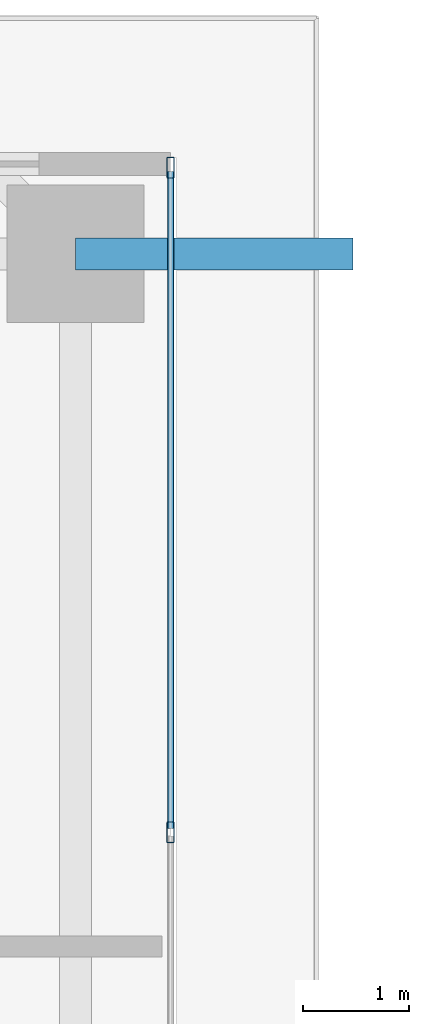
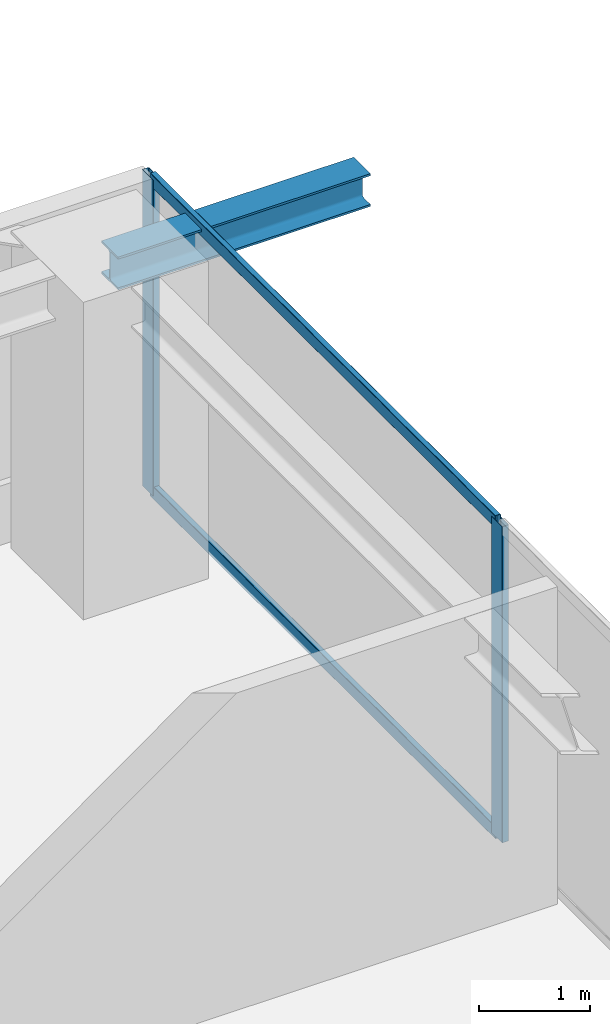
# One storey, part 21 of 34: 4 members, 1 beam, 1 element without a shape of its own.
"""IFC4 building model written with IfcOpenShell, lengths in metres."""

from ifc_helpers import new_model, si_unit, direction, frame, origin, origin_2d, place, context, subcontext, project, spatial, hollow_rectangle, i_section, extrude, source, transform, mapped, material, layer, layer_set, material_profile, profile_set, type_object, element, aggregate, save


model = new_model("IFC4")

# Units and contexts
model_context = context("Model", 3, precision=1e-05, world=origin(), true_north=direction((0.0, 1.0)))
body_context = subcontext(model_context, "Body", "Model", "MODEL_VIEW")
ifc_project = project(units=[si_unit("LENGTHUNIT", "METRE"), si_unit("AREAUNIT", "SQUARE_METRE"), si_unit("VOLUMEUNIT", "CUBIC_METRE"), si_unit("PLANEANGLEUNIT", "RADIAN"), si_unit("MASSUNIT", "GRAM", prefix="KILO")], contexts=[model_context])

# Site, building, storey
site_placement = place(None, origin())
site = spatial("IfcSite", under=ifc_project, at=site_placement, CompositionType="ELEMENT")
building_placement = place(site_placement, origin())
building = spatial("IfcBuilding", under=site, at=building_placement, Name="Serunith Strait Residences", CompositionType="ELEMENT")
storey_placement = place(building_placement, frame((0.0, 0.0, 187.64990234375)))
storey = spatial("IfcBuildingStorey", under=building, at=storey_placement, Name="L47", CompositionType="ELEMENT", Elevation=187.64990234375)

# Beam
ifc_material_1 = material(Name="Steel S355J2", Category="steel")
ifc_material_profile_1 = material_profile(ifc_material_1, i_section(OverallWidth=0.300048828125, OverallDepth=0.360107421875, WebThickness=0.012451171875, FlangeThickness=0.0224609375, FilletRadius=0.027099609375, at=origin_2d()), Name="HEB 360")
ifc_profile_set_1 = profile_set([ifc_material_profile_1], Name="Steel S355J2")
beam_type = type_object("IfcBeamType", Name="BM-HEB360", PredefinedType="BEAM", material=ifc_profile_set_1)
shared_shape_1 = source(origin(), body_context, "Body", "SweptSolid", [
    extrude(i_section(OverallWidth=0.300048828125, OverallDepth=0.360107421875, WebThickness=0.012451171875, FlangeThickness=0.0224609375, FilletRadius=0.027099609375, at=origin_2d()), origin(), (0.0, 0.0, 1.0), 2.624267578125),
])
beam_placement = place(storey_placement, frame((56.10009765625, 40.14990234375, 3.277099609375), z_axis=(1.0, 0.0, 0.0), x_axis=(0.0, 1.0, 0.0)))
element("IfcBeam", 1, at=beam_placement, inside=storey, type_object=beam_type, Name="L48 Cantilevered Balcony Rib TC-E4", PredefinedType="BEAM", context=body_context, shape_type="MappedRepresentation", body=[
    mapped(shared_shape_1, transform((0.0, 0.0, 0.0), scale=1.0)),
])

# Curtain wall, members
ifc_material_2 = material(Name="Pale-Champagne Anodised Aluminium", Category="aluminium")
ifc_layer = layer(ifc_material_2, 0.199951171875, Name="Pale-Champagne Anodised Aluminium")
ifc_layer_set = layer_set([ifc_layer], Name="Pale-Champagne Anodised Aluminium")
curtain_wall_type = type_object("IfcCurtainWallType", Name="CW-SYS2", PredefinedType="NOTDEFINED", material=ifc_layer_set)
curtain_wall_placement = place(storey_placement, origin())
curtain_wall = element("IfcCurtainWall", 2, at=curtain_wall_placement, inside=storey, type_object=curtain_wall_type, Name="L47 E Unitised Fritted Curtain Wall", PredefinedType="NOTDEFINED")
ifc_material_profile_2 = material_profile(ifc_material_2, hollow_rectangle(XDim=0.070068359375, YDim=0.199951171875, WallThickness=0.00390625, InnerFilletRadius=0.006103515625, OuterFilletRadius=0.010009765625, at=origin_2d()), Name="ALU 200x70x4")
ifc_profile_set_2 = profile_set([ifc_material_profile_2], Name="Pale-Champagne Anodised Aluminium")
member_type_1 = type_object("IfcMemberType", Name="CW-SYS2-MULL", PredefinedType="MULLION", material=ifc_profile_set_2)
shared_shape_2 = source(origin(), body_context, "Body", "SweptSolid", [
    extrude(hollow_rectangle(XDim=0.070068359375, YDim=0.199951171875, WallThickness=0.00390625, InnerFilletRadius=0.006103515625, OuterFilletRadius=0.010009765625, at=origin_2d()), origin(), (0.0, 0.0, 1.0), 3.47509765625),
])
member_1_placement = place(storey_placement, frame((57.0, 34.679931640625, 0.0), z_axis=(0.0, 0.0, 1.0), x_axis=(-1.0, 0.0, 0.0)))
member_1 = element("IfcMember", 3, at=member_1_placement, type_object=member_type_1, Name="CW-2 mullion 5", PredefinedType="MULLION", context=body_context, shape_type="MappedRepresentation", body=[
    mapped(shared_shape_2, transform((0.0, 0.0, 0.0), scale=1.0)),
])
member_2_placement = place(storey_placement, frame((57.0, 40.965087890625, 0.0), z_axis=(0.0, 0.0, 1.0), x_axis=(-1.0, 0.0, 0.0)))
member_2 = element("IfcMember", 4, at=member_2_placement, type_object=member_type_1, Name="CW-2 mullion 6", PredefinedType="MULLION", context=body_context, shape_type="MappedRepresentation", body=[
    mapped(shared_shape_2, transform((0.0, 0.0, 0.0), scale=1.0)),
])
ifc_material_profile_3 = material_profile(ifc_material_2, hollow_rectangle(XDim=0.06005859375, YDim=0.139892578125, WallThickness=0.00341796875, InnerFilletRadius=0.00537109375, OuterFilletRadius=0.0087890625, at=origin_2d()), Name="ALU 140x60x3.5")
ifc_profile_set_3 = profile_set([ifc_material_profile_3], Name="Pale-Champagne Anodised Aluminium")
member_type_2 = type_object("IfcMemberType", Name="CW-SYS2-TRAN", PredefinedType="USERDEFINED", material=ifc_profile_set_3)
shared_shape_3 = source(origin(), body_context, "Body", "SweptSolid", [
    extrude(hollow_rectangle(XDim=0.06005859375, YDim=0.139892578125, WallThickness=0.00341796875, InnerFilletRadius=0.00537109375, OuterFilletRadius=0.0087890625, at=origin_2d()), origin(), (0.0, 0.0, 1.0), 6.21484375),
])
member_3_placement = place(storey_placement, frame((57.0, 34.715087890625, 0.030029296875), z_axis=(0.0, 1.0, 0.0), x_axis=(-1.0, 0.0, 0.0)))
member_3 = element("IfcMember", 5, at=member_3_placement, type_object=member_type_2, Name="CW-2 transom 5.1", ObjectType="TRANSOM", PredefinedType="USERDEFINED", context=body_context, shape_type="MappedRepresentation", body=[
    mapped(shared_shape_3, transform((0.0, 0.0, 0.0), scale=1.0)),
])
member_4_placement = place(storey_placement, frame((57.0, 34.715087890625, 3.445068359375), z_axis=(0.0, 1.0, 0.0), x_axis=(-1.0, 0.0, 0.0)))
member_4 = element("IfcMember", 6, at=member_4_placement, type_object=member_type_2, Name="CW-2 transom 5.2", ObjectType="TRANSOM", PredefinedType="USERDEFINED", context=body_context, shape_type="MappedRepresentation", body=[
    mapped(shared_shape_3, transform((0.0, 0.0, 0.0), scale=1.0)),
])
aggregate(curtain_wall, [member_1, member_2, member_3, member_4])

save(model, "model.ifc")
